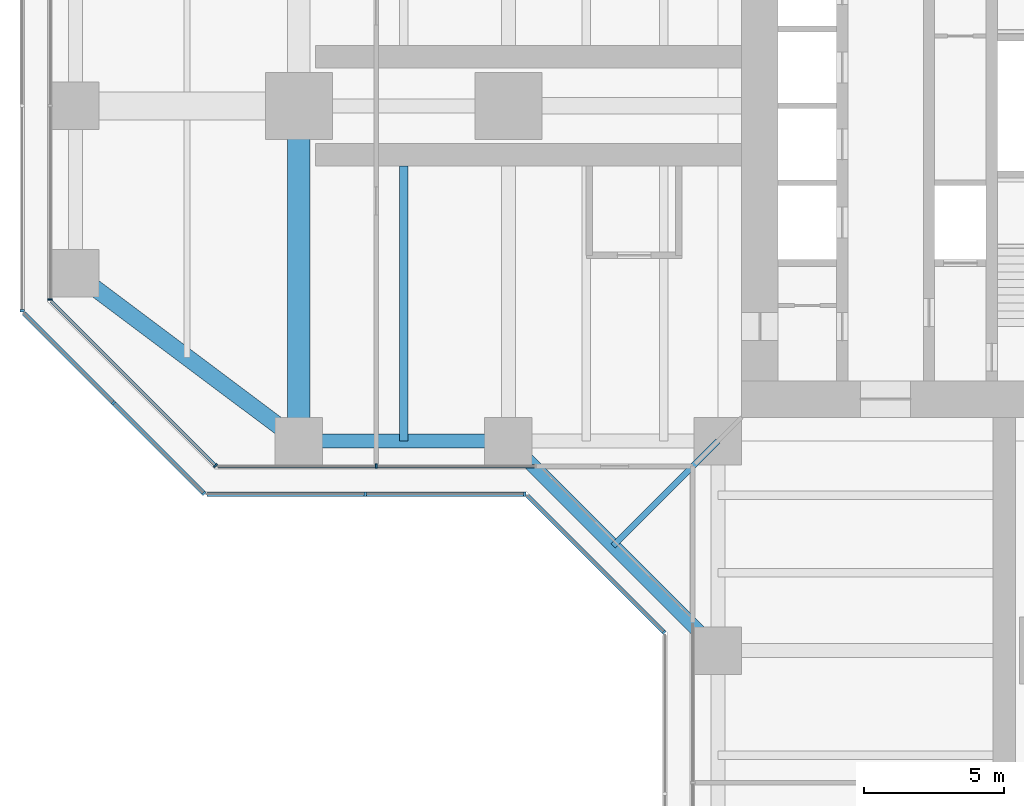
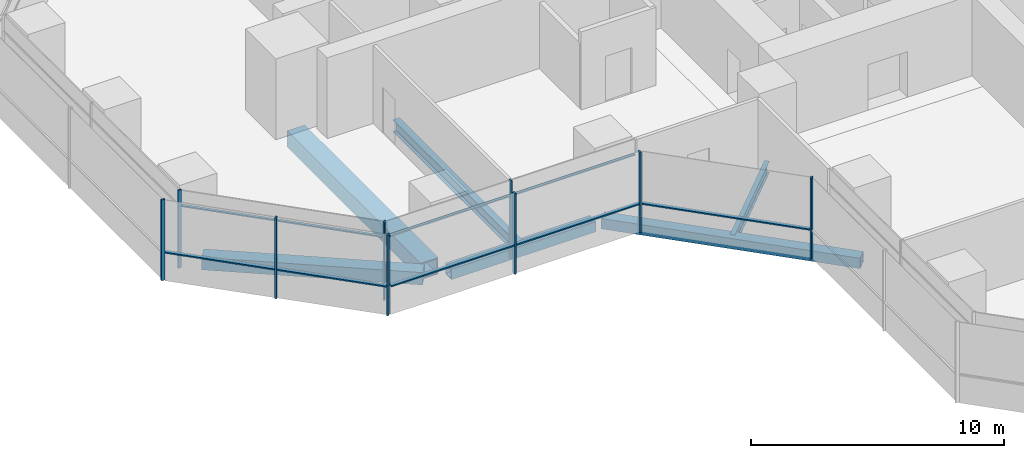
# One storey, part 3 of 22: 17 members, 6 beams, 7 elements without a shape of their own.
"""IFC4 building model written with IfcOpenShell, lengths in metres."""

from ifc_helpers import new_model, si_unit, direction, frame, origin, origin_2d, place, context, subcontext, project, spatial, rectangle, hollow_rectangle, i_section, extrude, material, material_profile, profile_set, type_object, element, aggregate, save


model = new_model("IFC4")

# Units and contexts
model_context = context("Model", 3, precision=1e-05, world=origin(), true_north=direction((0.0, 1.0)))
body_context = subcontext(model_context, "Body", "Model", "MODEL_VIEW")
ifc_project = project(units=[si_unit("LENGTHUNIT", "METRE"), si_unit("AREAUNIT", "SQUARE_METRE"), si_unit("VOLUMEUNIT", "CUBIC_METRE"), si_unit("PLANEANGLEUNIT", "RADIAN"), si_unit("MASSUNIT", "GRAM", prefix="KILO")], contexts=[model_context])

# Site, building, storey
site_placement = place(None, origin())
site = spatial("IfcSite", under=ifc_project, at=site_placement, CompositionType="ELEMENT")
building_placement = place(site_placement, origin())
building = spatial("IfcBuilding", under=site, at=building_placement, Name="Mizan Broadcast Tower", CompositionType="ELEMENT")
storey_placement = place(building_placement, frame((0.0, 0.0, 105.89990234375)))
storey = spatial("IfcBuildingStorey", under=building, at=storey_placement, Name="L23", CompositionType="ELEMENT", Elevation=105.89990234375)

# Beams
ifc_material_1 = material(Name="Steel S355", Category="steel")
ifc_material_profile_1 = material_profile(ifc_material_1, hollow_rectangle(XDim=0.5, YDim=0.5, WallThickness=0.030029296875, at=origin_2d()), Name="BOX 500x500x30")
ifc_profile_set_1 = profile_set([ifc_material_profile_1], Name="Steel S355")
beam_type_1 = type_object("IfcBeamType", Name="EDGE BEAM BOX 500x500x30", PredefinedType="SPANDREL", material=ifc_profile_set_1)
beam_1_placement = place(storey_placement, frame((-19.949951171875, -12.0, -0.3798828125), z_axis=(-1.0, 0.0, 0.0), x_axis=(0.0, -1.0, 0.0)))
element("IfcBeam", 1, at=beam_1_placement, inside=storey, type_object=beam_type_1, Name="Edge beam BOX 500x500x30 L23 west arm", PredefinedType="SPANDREL", context=body_context, shape_type="SweptSolid", body=[
    extrude(hollow_rectangle(XDim=0.5, YDim=0.5, WallThickness=0.030029296875, at=origin_2d()), origin(), (0.0, 0.0, 1.0), 6.60009765625),
])
beam_2_placement = place(storey_placement, frame((-19.5, -12.0, -0.3798828125), z_axis=(0.707106781187, -0.707106781187, 0.0), x_axis=(0.707106781187, 0.707106781187, 0.0)))
element("IfcBeam", 2, at=beam_2_placement, inside=storey, type_object=beam_type_1, Name="Winter garden edge beam L23 W", PredefinedType="SPANDREL", context=body_context, shape_type="SweptSolid", body=[
    extrude(hollow_rectangle(XDim=0.5, YDim=0.5, WallThickness=0.030029296875, at=origin_2d()), origin(), (0.0, 0.0, 1.0), 10.606689453125),
])
ifc_material_2 = material(Name="Steel S355", Category="steel")
ifc_material_profile_2 = material_profile(ifc_material_2, hollow_rectangle(XDim=0.60009765625, YDim=0.60009765625, WallThickness=0.030029296875, at=origin_2d()), Name="BOX 600x600x30")
ifc_profile_set_2 = profile_set([ifc_material_profile_2], Name="Steel S355")
beam_type_2 = type_object("IfcBeamType", Name="EDGE BEAM BOX 600x600x30", PredefinedType="SPANDREL", material=ifc_profile_set_2)
beam_3_placement = place(storey_placement, frame((-27.47998046875, -11.639892578125, -0.429931640625), z_axis=(-0.800013316712, 0.599982243973, 0.0), x_axis=(-0.599982243973, -0.800013316712, 0.0)))
element("IfcBeam", 3, at=beam_3_placement, inside=storey, type_object=beam_type_2, Name="Edge beam BOX 600x600x30 L23 west arm", PredefinedType="SPANDREL", context=body_context, shape_type="SweptSolid", body=[
    extrude(hollow_rectangle(XDim=0.60009765625, YDim=0.60009765625, WallThickness=0.030029296875, at=origin_2d()), origin(), (0.0, 0.0, 1.0), 8.7998046875),
])
ifc_material_3 = material(Name="Steel S460", Category="steel")
ifc_material_profile_3 = material_profile(ifc_material_3, hollow_rectangle(XDim=0.800048828125, YDim=0.800048828125, WallThickness=0.050048828125, at=origin_2d()), Name="BOX 800x800x50")
ifc_profile_set_3 = profile_set([ifc_material_profile_3], Name="Steel S460")
beam_type_3 = type_object("IfcBeamType", Name="GIRDER BOX 800x800x50", PredefinedType="BEAM", material=ifc_profile_set_3)
beam_4_placement = place(storey_placement, frame((-27.0, -11.280029296875, -0.52978515625), z_axis=(0.0, 1.0, 0.0), x_axis=(-1.0, 0.0, 0.0)))
element("IfcBeam", 4, at=beam_4_placement, inside=storey, type_object=beam_type_3, Name="Girder BOX 800x800x50 L23 west arm", PredefinedType="BEAM", context=body_context, shape_type="SweptSolid", body=[
    extrude(hollow_rectangle(XDim=0.800048828125, YDim=0.800048828125, WallThickness=0.050048828125, at=origin_2d()), origin(), (0.0, 0.0, 1.0), 10.56005859375),
])

# Curtain wall, member
ifc_material_4 = material(Name="Aluminium framed glazing", Category="aluminium")
curtain_wall_type_1 = type_object("IfcCurtainWallType", Name="INNER SKIN LOW ZONE", PredefinedType="USERDEFINED", material=ifc_material_4)
curtain_wall_1_placement = place(storey_placement, origin())
curtain_wall_1 = element("IfcCurtainWall", 5, at=curtain_wall_1_placement, inside=storey, type_object=curtain_wall_type_1, Name="Inner skin low zone L23 W end", ObjectType="INNER SKIN LOW ZONE", PredefinedType="USERDEFINED")
ifc_material_5 = material(Name="Aluminium, pale anodised", Category="aluminium")
ifc_material_profile_4 = material_profile(ifc_material_5, rectangle(XDim=0.159912109375, YDim=0.06005859375, at=origin_2d()), Name="MULLION 160x60")
ifc_profile_set_4 = profile_set([ifc_material_profile_4], Name="Aluminium, pale anodised")
member_type_1 = type_object("IfcMemberType", Name="INNER SKIN MULLION 60x160", PredefinedType="MULLION", material=ifc_profile_set_4)
member_1_placement = place(storey_placement, frame((-35.89990234375, -6.928466796875, 0.0), z_axis=(0.0, 0.0, 1.0), x_axis=(1.0, 0.0, 0.0)))
member_1 = element("IfcMember", 6, at=member_1_placement, type_object=member_type_1, Name="Inner skin low zone L23 W end mullion 3", PredefinedType="MULLION", context=body_context, shape_type="SweptSolid", body=[
    extrude(rectangle(XDim=0.159912109375, YDim=0.06005859375, at=origin_2d()), origin(), (0.0, 0.0, 1.0), 3.77001953125),
])
aggregate(curtain_wall_1, [member_1])

curtain_wall_2_placement = place(storey_placement, origin())
curtain_wall_2 = element("IfcCurtainWall", 7, at=curtain_wall_2_placement, inside=storey, type_object=curtain_wall_type_1, Name="Inner skin low zone L23 W chamfer", ObjectType="INNER SKIN LOW ZONE", PredefinedType="USERDEFINED")
member_2_placement = place(storey_placement, frame((-29.979736328125, -12.87890625, 0.0), z_axis=(0.0, 0.0, 1.0), x_axis=(0.707106781187, 0.707106781187, 0.0)))
member_2 = element("IfcMember", 8, at=member_2_placement, type_object=member_type_1, Name="Inner skin low zone L23 W chamfer mullion 2", PredefinedType="MULLION", context=body_context, shape_type="SweptSolid", body=[
    extrude(rectangle(XDim=0.159912109375, YDim=0.06005859375, at=origin_2d()), origin(), (0.0, 0.0, 1.0), 3.77001953125),
])

curtain_wall_3_placement = place(storey_placement, origin())
curtain_wall_3 = element("IfcCurtainWall", 9, at=curtain_wall_3_placement, inside=storey, type_object=curtain_wall_type_1, Name="Inner skin low zone L23 W side", ObjectType="INNER SKIN LOW ZONE", PredefinedType="USERDEFINED")
member_3_placement = place(storey_placement, frame((-24.229248046875, -12.89990234375, 0.0), z_axis=(0.0, 0.0, 1.0), x_axis=(0.0, 1.0, 0.0)))
member_3 = element("IfcMember", 10, at=member_3_placement, type_object=member_type_1, Name="Inner skin low zone L23 W side mullion 2", PredefinedType="MULLION", context=body_context, shape_type="SweptSolid", body=[
    extrude(rectangle(XDim=0.159912109375, YDim=0.06005859375, at=origin_2d()), origin(), (0.0, 0.0, 1.0), 3.77001953125),
])

# Member
ifc_material_6 = material(Name="Aluminium, pale anodised", Category="aluminium")
ifc_material_profile_5 = material_profile(ifc_material_6, rectangle(XDim=0.1201171875, YDim=0.06005859375, at=origin_2d()), Name="TRANSOM 120x60")
ifc_profile_set_5 = profile_set([ifc_material_profile_5], Name="Aluminium, pale anodised")
member_type_2 = type_object("IfcMemberType", Name="INNER SKIN TRANSOM 60x120", PredefinedType="USERDEFINED", material=ifc_profile_set_5)
member_4_placement = place(storey_placement, frame((-35.857666015625, -7.0009765625, 3.030029296875), z_axis=(0.707106781187, -0.707106781187, 0.0), x_axis=(0.707106781187, 0.707106781187, 0.0)))
member_4 = element("IfcMember", 11, at=member_4_placement, type_object=member_type_2, Name="Inner skin low zone L23 W chamfer transom 1.1", ObjectType="TRANSOM", PredefinedType="USERDEFINED", context=body_context, shape_type="SweptSolid", body=[
    extrude(rectangle(XDim=0.1201171875, YDim=0.06005859375, at=origin_2d()), origin(), (0.0, 0.0, 1.0), 8.28271484375),
])

aggregate(curtain_wall_2, [member_2, member_4])

member_5_placement = place(storey_placement, frame((-29.898681640625, -12.89990234375, 3.030029296875), z_axis=(1.0, 0.0, 0.0), x_axis=(0.0, 1.0, 0.0)))
member_5 = element("IfcMember", 12, at=member_5_placement, type_object=member_type_2, Name="Inner skin low zone L23 W side transom 1.1", ObjectType="TRANSOM", PredefinedType="USERDEFINED", context=body_context, shape_type="SweptSolid", body=[
    extrude(rectangle(XDim=0.1201171875, YDim=0.06005859375, at=origin_2d()), origin(), (0.0, 0.0, 1.0), 5.639404296875),
])

member_6_placement = place(storey_placement, frame((-24.19921875, -12.89990234375, 3.030029296875), z_axis=(1.0, 0.0, 0.0), x_axis=(0.0, 1.0, 0.0)))
member_6 = element("IfcMember", 13, at=member_6_placement, type_object=member_type_2, Name="Inner skin low zone L23 W side transom 2.1", ObjectType="TRANSOM", PredefinedType="USERDEFINED", context=body_context, shape_type="SweptSolid", body=[
    extrude(rectangle(XDim=0.1201171875, YDim=0.06005859375, at=origin_2d()), origin(), (0.0, 0.0, 1.0), 5.63916015625),
])

aggregate(curtain_wall_3, [member_3, member_5, member_6])

# Curtain wall, member
ifc_material_7 = material(Name="Aluminium framed glazing", Category="aluminium")
curtain_wall_type_2 = type_object("IfcCurtainWallType", Name="OUTER SKIN", PredefinedType="USERDEFINED", material=ifc_material_7)
curtain_wall_4_placement = place(storey_placement, origin())
curtain_wall_4 = element("IfcCurtainWall", 14, at=curtain_wall_4_placement, inside=storey, type_object=curtain_wall_type_2, Name="Outer skin L23 W end", ObjectType="OUTER SKIN", PredefinedType="USERDEFINED")
ifc_material_8 = material(Name="Aluminium, pale anodised", Category="aluminium")
ifc_material_profile_6 = material_profile(ifc_material_8, rectangle(XDim=0.159912109375, YDim=0.080078125, at=origin_2d()), Name="MULLION 160x80")
ifc_profile_set_6 = profile_set([ifc_material_profile_6], Name="Aluminium, pale anodised")
member_type_3 = type_object("IfcMemberType", Name="OUTER SKIN MULLION 80x160", PredefinedType="MULLION", material=ifc_profile_set_6)
member_7_placement = place(storey_placement, frame((-36.89990234375, -7.332763671875, 0.0), z_axis=(0.0, 0.0, 1.0), x_axis=(1.0, 0.0, 0.0)))
member_7 = element("IfcMember", 15, at=member_7_placement, type_object=member_type_3, Name="Outer skin L23 W end mullion 3", PredefinedType="MULLION", context=body_context, shape_type="SweptSolid", body=[
    extrude(rectangle(XDim=0.159912109375, YDim=0.080078125, at=origin_2d()), origin(), (0.0, 0.0, 1.0), 3.900146484375),
])
aggregate(curtain_wall_4, [member_7])

# Curtain wall, members
curtain_wall_5_placement = place(storey_placement, origin())
curtain_wall_5 = element("IfcCurtainWall", 16, at=curtain_wall_5_placement, inside=storey, type_object=curtain_wall_type_2, Name="Outer skin L23 W chamfer", ObjectType="OUTER SKIN", PredefinedType="USERDEFINED")
member_8_placement = place(storey_placement, frame((-33.636474609375, -10.636474609375, 0.0), z_axis=(0.0, 0.0, 1.0), x_axis=(0.707106781187, 0.707106781187, 0.0)))
member_8 = element("IfcMember", 17, at=member_8_placement, type_object=member_type_3, Name="Outer skin L23 W chamfer mullion 2", PredefinedType="MULLION", context=body_context, shape_type="SweptSolid", body=[
    extrude(rectangle(XDim=0.159912109375, YDim=0.080078125, at=origin_2d()), origin(), (0.0, 0.0, 1.0), 3.900146484375),
])
member_9_placement = place(storey_placement, frame((-30.401123046875, -13.871826171875, 0.0), z_axis=(0.0, 0.0, 1.0), x_axis=(0.707106781187, 0.707106781187, 0.0)))
member_9 = element("IfcMember", 18, at=member_9_placement, type_object=member_type_3, Name="Outer skin L23 W chamfer mullion 3", PredefinedType="MULLION", context=body_context, shape_type="SweptSolid", body=[
    extrude(rectangle(XDim=0.159912109375, YDim=0.080078125, at=origin_2d()), origin(), (0.0, 0.0, 1.0), 3.900146484375),
])

curtain_wall_6_placement = place(storey_placement, origin())
curtain_wall_6 = element("IfcCurtainWall", 19, at=curtain_wall_6_placement, inside=storey, type_object=curtain_wall_type_2, Name="Outer skin L23 W side", ObjectType="OUTER SKIN", PredefinedType="USERDEFINED")
member_10_placement = place(storey_placement, frame((-24.622802734375, -13.89990234375, 0.0), z_axis=(0.0, 0.0, 1.0), x_axis=(0.0, 1.0, 0.0)))
member_10 = element("IfcMember", 20, at=member_10_placement, type_object=member_type_3, Name="Outer skin L23 W side mullion 2", PredefinedType="MULLION", context=body_context, shape_type="SweptSolid", body=[
    extrude(rectangle(XDim=0.159912109375, YDim=0.080078125, at=origin_2d()), origin(), (0.0, 0.0, 1.0), 3.900146484375),
])
member_11_placement = place(storey_placement, frame((-18.912841796875, -13.89990234375, 0.0), z_axis=(0.0, 0.0, 1.0), x_axis=(0.0, 1.0, 0.0)))
member_11 = element("IfcMember", 21, at=member_11_placement, type_object=member_type_3, Name="Outer skin L23 W side mullion 3", PredefinedType="MULLION", context=body_context, shape_type="SweptSolid", body=[
    extrude(rectangle(XDim=0.159912109375, YDim=0.080078125, at=origin_2d()), origin(), (0.0, 0.0, 1.0), 3.900146484375),
])

# Curtain wall, member
curtain_wall_7_placement = place(storey_placement, origin())
curtain_wall_7 = element("IfcCurtainWall", 22, at=curtain_wall_7_placement, inside=storey, type_object=curtain_wall_type_2, Name="Outer skin L23 W chamfer", ObjectType="OUTER SKIN", PredefinedType="USERDEFINED")
member_12_placement = place(storey_placement, frame((-13.92822265625, -18.844482421875, 0.0), z_axis=(0.0, 0.0, 1.0), x_axis=(0.707106781187, 0.707106781187, 0.0)))
member_12 = element("IfcMember", 23, at=member_12_placement, type_object=member_type_3, Name="Outer skin L23 W chamfer mullion 2", PredefinedType="MULLION", context=body_context, shape_type="SweptSolid", body=[
    extrude(rectangle(XDim=0.159912109375, YDim=0.080078125, at=origin_2d()), origin(), (0.0, 0.0, 1.0), 3.900146484375),
])

# Member
ifc_material_9 = material(Name="Aluminium, pale anodised", Category="aluminium")
ifc_material_profile_7 = material_profile(ifc_material_9, rectangle(XDim=0.159912109375, YDim=0.06005859375, at=origin_2d()), Name="TRANSOM 160x60")
ifc_profile_set_7 = profile_set([ifc_material_profile_7], Name="Aluminium, pale anodised")
member_type_4 = type_object("IfcMemberType", Name="OUTER SKIN TRANSOM 60x160", PredefinedType="USERDEFINED", material=ifc_profile_set_7)
member_13_placement = place(storey_placement, frame((-36.843505859375, -7.429443359375, 1.400146484375), z_axis=(0.707106781187, -0.707106781187, 0.0), x_axis=(0.707106781187, 0.707106781187, 0.0)))
member_13 = element("IfcMember", 24, at=member_13_placement, type_object=member_type_4, Name="Outer skin L23 W chamfer transom 1.1", ObjectType="TRANSOM", PredefinedType="USERDEFINED", context=body_context, shape_type="SweptSolid", body=[
    extrude(rectangle(XDim=0.159912109375, YDim=0.06005859375, at=origin_2d()), origin(), (0.0, 0.0, 1.0), 4.495361328125),
])

member_14_placement = place(storey_placement, frame((-33.608154296875, -10.664794921875, 1.400146484375), z_axis=(0.707106781187, -0.707106781187, 0.0), x_axis=(0.707106781187, 0.707106781187, 0.0)))
member_14 = element("IfcMember", 25, at=member_14_placement, type_object=member_type_4, Name="Outer skin L23 W chamfer transom 2.1", ObjectType="TRANSOM", PredefinedType="USERDEFINED", context=body_context, shape_type="SweptSolid", body=[
    extrude(rectangle(XDim=0.159912109375, YDim=0.06005859375, at=origin_2d()), origin(), (0.0, 0.0, 1.0), 4.495361328125),
])

aggregate(curtain_wall_5, [member_8, member_9, member_13, member_14])

member_15_placement = place(storey_placement, frame((-30.292724609375, -13.89990234375, 1.400146484375), z_axis=(1.0, 0.0, 0.0), x_axis=(0.0, 1.0, 0.0)))
member_15 = element("IfcMember", 26, at=member_15_placement, type_object=member_type_4, Name="Outer skin L23 W side transom 1.1", ObjectType="TRANSOM", PredefinedType="USERDEFINED", context=body_context, shape_type="SweptSolid", body=[
    extrude(rectangle(XDim=0.159912109375, YDim=0.06005859375, at=origin_2d()), origin(), (0.0, 0.0, 1.0), 5.6298828125),
])

member_16_placement = place(storey_placement, frame((-24.582763671875, -13.89990234375, 1.400146484375), z_axis=(1.0, 0.0, 0.0), x_axis=(0.0, 1.0, 0.0)))
member_16 = element("IfcMember", 27, at=member_16_placement, type_object=member_type_4, Name="Outer skin L23 W side transom 2.1", ObjectType="TRANSOM", PredefinedType="USERDEFINED", context=body_context, shape_type="SweptSolid", body=[
    extrude(rectangle(XDim=0.159912109375, YDim=0.06005859375, at=origin_2d()), origin(), (0.0, 0.0, 1.0), 5.6298828125),
])

aggregate(curtain_wall_6, [member_10, member_11, member_15, member_16])

member_17_placement = place(storey_placement, frame((-18.816162109375, -13.95654296875, 1.400146484375), z_axis=(0.707106781187, -0.707106781187, 0.0), x_axis=(0.707106781187, 0.707106781187, 0.0)))
member_17 = element("IfcMember", 28, at=member_17_placement, type_object=member_type_4, Name="Outer skin L23 W chamfer transom 1.1", ObjectType="TRANSOM", PredefinedType="USERDEFINED", context=body_context, shape_type="SweptSolid", body=[
    extrude(rectangle(XDim=0.159912109375, YDim=0.06005859375, at=origin_2d()), origin(), (0.0, 0.0, 1.0), 6.87255859375),
])

aggregate(curtain_wall_7, [member_12, member_17])

# Beams
ifc_material_10 = material(Name="Steel S355", Category="steel")
ifc_material_profile_8 = material_profile(ifc_material_10, i_section(OverallWidth=0.300048828125, OverallDepth=0.590087890625, WebThickness=0.012939453125, FlangeThickness=0.02490234375, FilletRadius=0.027099609375, at=origin_2d()), Name="HEA 600")
ifc_profile_set_8 = profile_set([ifc_material_profile_8], Name="Steel S355")
beam_type_4 = type_object("IfcBeamType", Name="SECONDARY BEAM HEA 600", PredefinedType="JOIST", material=ifc_profile_set_8)
beam_5_placement = place(storey_placement, frame((-23.25, -12.0, -0.4248046875), z_axis=(0.0, 1.0, 0.0), x_axis=(-1.0, 0.0, 0.0)))
element("IfcBeam", 29, at=beam_5_placement, inside=storey, type_object=beam_type_4, Name="Secondary beam HEA 600 L23 west arm", PredefinedType="JOIST", context=body_context, shape_type="SweptSolid", body=[
    extrude(i_section(OverallWidth=0.300048828125, OverallDepth=0.590087890625, WebThickness=0.012939453125, FlangeThickness=0.02490234375, FilletRadius=0.027099609375, at=origin_2d()), origin(), (0.0, 0.0, 1.0), 9.85009765625),
])
ifc_material_11 = material(Name="Steel S355", Category="steel")
ifc_material_profile_9 = material_profile(ifc_material_11, i_section(OverallWidth=0.2099609375, OverallDepth=0.550048828125, WebThickness=0.010986328125, FlangeThickness=0.01708984375, FilletRadius=0.02392578125, at=origin_2d()), Name="IPE 550")
ifc_profile_set_9 = profile_set([ifc_material_profile_9], Name="Steel S355")
beam_type_5 = type_object("IfcBeamType", Name="SECONDARY BEAM IPE 550", PredefinedType="JOIST", material=ifc_profile_set_9)
beam_6_placement = place(storey_placement, frame((-12.0, -12.0, -0.40478515625), z_axis=(-0.707106781187, -0.707106781187, 0.0), x_axis=(0.707106781187, -0.707106781187, 0.0)))
element("IfcBeam", 30, at=beam_6_placement, inside=storey, type_object=beam_type_5, Name="Winter garden beam L23 W", PredefinedType="JOIST", context=body_context, shape_type="SweptSolid", body=[
    extrude(i_section(OverallWidth=0.2099609375, OverallDepth=0.550048828125, WebThickness=0.010986328125, FlangeThickness=0.01708984375, FilletRadius=0.02392578125, at=origin_2d()), origin(), (0.0, 0.0, 1.0), 5.30322265625),
])

save(model, "model.ifc")
